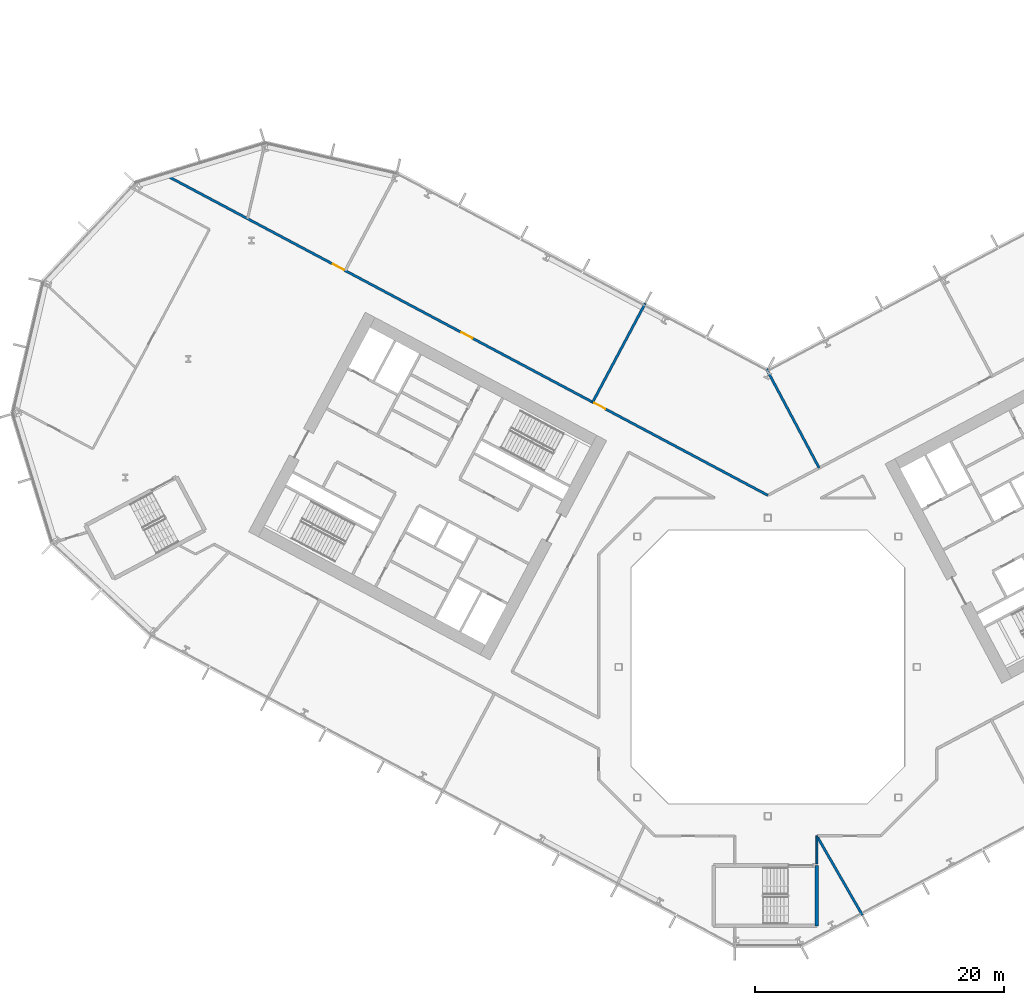
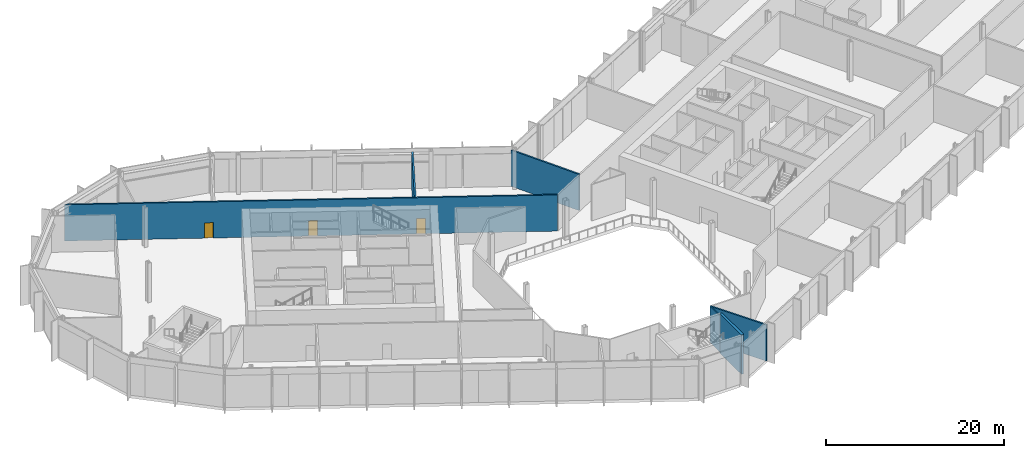
# One storey, part 14 of 32: 6 walls, 3 doors, 3 openings.
"""IFC4 building model written with IfcOpenShell, lengths in metres."""

from ifc_helpers import new_model, si_unit, direction, frame, frame_2d, origin, place, context, subcontext, project, spatial, rectangle, extrude, material, layer, layer_set, type_object, element, fill, save


model = new_model("IFC4")

# Units and contexts
model_context = context("Model", 3, precision=1e-05, world=origin(), true_north=direction((0.0, 1.0)))
body_context = subcontext(model_context, "Body", "Model", "MODEL_VIEW")
ifc_project = project(units=[si_unit("LENGTHUNIT", "METRE"), si_unit("AREAUNIT", "SQUARE_METRE"), si_unit("VOLUMEUNIT", "CUBIC_METRE"), si_unit("PLANEANGLEUNIT", "RADIAN"), si_unit("MASSUNIT", "GRAM", prefix="KILO")], contexts=[model_context])

# Site, building, storey
site_placement = place(None, origin())
site = spatial("IfcSite", under=ifc_project, at=site_placement, CompositionType="ELEMENT")
building_placement = place(site_placement, origin())
building = spatial("IfcBuilding", under=site, at=building_placement, Name="Cormorant Relay Tower", CompositionType="ELEMENT")
storey_placement = place(building_placement, frame((0.0, 0.0, 28.39990234375)))
storey = spatial("IfcBuildingStorey", under=building, at=storey_placement, Name="L05", CompositionType="ELEMENT", Elevation=28.39990234375)

# Wall, openings, doors
ifc_material_1 = material(Name="Fire-rated gypsum board partition")
ifc_layer_1 = layer(ifc_material_1, 0.199951171875)
ifc_layer_set_1 = layer_set([ifc_layer_1], Name="Fire-rated gypsum partition 200")
wall_type_1 = type_object("IfcWallType", Name="Fire-rated gypsum partition 200", PredefinedType="PARTITIONING", material=ifc_layer_set_1)
wall_1_placement = place(storey_placement, frame((-48.81396484375, 39.77001953125, 0.0), z_axis=(0.0, 0.0, 1.0), x_axis=(0.882945848707, -0.469474843043, 0.0)))
wall_1 = element("IfcWall", 1, at=wall_1_placement, inside=storey, type_object=wall_type_1, Name="wall/L05/part/8", PredefinedType="PARTITIONING", context=body_context, shape_type="SweptSolid", body=[
    extrude(rectangle(XDim=55.285400390625, YDim=0.199951171875, at=frame_2d((27.642578125, 0.0))), origin(), (0.0, 0.0, 1.0), 4.9501953125),
])
opening_1_placement = place(wall_1_placement, frame((39.465087890625, 0.0, 0.0)))
opening_1 = element("IfcOpeningElement", 2, at=opening_1_placement, cuts=wall_1, Name="Opening FD1-044", PredefinedType="OPENING", context=body_context, shape_type="SweptSolid", body=[
    extrude(rectangle(XDim=1.0, YDim=2.10009765625, at=frame_2d((0.5, 1.050048828125))), frame((0.0, 0.10986328125, 0.0), z_axis=(0.0, -1.0, 0.0), x_axis=(1.0, 0.0, 0.0)), (0.0, 0.0, 1.0), 0.219970703125),
])
opening_2_placement = place(wall_1_placement, frame((27.365966796875, 0.0, 0.0)))
opening_2 = element("IfcOpeningElement", 3, at=opening_2_placement, cuts=wall_1, Name="Opening FD1-045", PredefinedType="OPENING", context=body_context, shape_type="SweptSolid", body=[
    extrude(rectangle(XDim=1.0, YDim=2.10009765625, at=frame_2d((0.5, 1.050048828125))), frame((0.0, 0.10986328125, 0.0), z_axis=(0.0, -1.0, 0.0), x_axis=(1.0, 0.0, 0.0)), (0.0, 0.0, 1.0), 0.219970703125),
])
opening_3_placement = place(wall_1_placement, frame((15.6650390625, 0.0, 0.0)))
opening_3 = element("IfcOpeningElement", 4, at=opening_3_placement, cuts=wall_1, Name="Opening FD1-046", PredefinedType="OPENING", context=body_context, shape_type="SweptSolid", body=[
    extrude(rectangle(XDim=1.0, YDim=2.10009765625, at=frame_2d((0.5, 1.050048828125))), frame((0.0, 0.10986328125, 0.0), z_axis=(0.0, -1.0, 0.0), x_axis=(1.0, 0.0, 0.0)), (0.0, 0.0, 1.0), 0.219970703125),
])
ifc_material_2 = material(Name="Fire-rated steel door", Category="steel")
door_type = type_object("IfcDoorType", Name="Fire door 1000 x 2100", OperationType="SINGLE_SWING_LEFT", PredefinedType="DOOR", material=ifc_material_2)
door_1_placement = place(opening_1_placement, origin())
door_1 = element("IfcDoor", 5, at=door_1_placement, inside=storey, type_object=door_type, Name="door/L05/7", OperationType="SINGLE_SWING_LEFT", OverallHeight=2.10009765625, OverallWidth=1.0, PredefinedType="DOOR", context=body_context, shape_type="SweptSolid", body=[
    extrude(rectangle(XDim=1.0, YDim=2.10009765625, at=frame_2d((0.5, 1.050048828125))), frame((0.0, 0.02490234375, 0.0), z_axis=(0.0, -1.0, 0.0), x_axis=(1.0, 0.0, 0.0)), (0.0, 0.0, 1.0), 0.050048828125),
])
fill(opening_1, door_1)
door_2_placement = place(opening_2_placement, origin())
door_2 = element("IfcDoor", 6, at=door_2_placement, inside=storey, type_object=door_type, Name="door/L05/8", OperationType="SINGLE_SWING_RIGHT", OverallHeight=2.10009765625, OverallWidth=1.0, PredefinedType="DOOR", context=body_context, shape_type="SweptSolid", body=[
    extrude(rectangle(XDim=1.0, YDim=2.10009765625, at=frame_2d((0.5, 1.050048828125))), frame((0.0, 0.02490234375, 0.0), z_axis=(0.0, -1.0, 0.0), x_axis=(1.0, 0.0, 0.0)), (0.0, 0.0, 1.0), 0.050048828125),
])
fill(opening_2, door_2)
door_3_placement = place(opening_3_placement, origin())
door_3 = element("IfcDoor", 7, at=door_3_placement, inside=storey, type_object=door_type, Name="door/L05/9", OperationType="SINGLE_SWING_RIGHT", OverallHeight=2.10009765625, OverallWidth=1.0, PredefinedType="DOOR", context=body_context, shape_type="SweptSolid", body=[
    extrude(rectangle(XDim=1.0, YDim=2.10009765625, at=frame_2d((0.5, 1.050048828125))), frame((0.0, 0.02490234375, 0.0), z_axis=(0.0, -1.0, 0.0), x_axis=(1.0, 0.0, 0.0)), (0.0, 0.0, 1.0), 0.050048828125),
])
fill(opening_3, door_3)

# Walls
wall_2_placement = place(storey_placement, frame((-9.864013671875, 29.2548828125, 0.0), z_axis=(0.0, 0.0, 1.0), x_axis=(-0.469475779988, -0.88294535052, 0.0)))
element("IfcWall", 8, at=wall_2_placement, inside=storey, type_object=wall_type_1, Name="wall/L05/part/16", PredefinedType="PARTITIONING", context=body_context, shape_type="SweptSolid", body=[
    extrude(rectangle(XDim=9.001708984375, YDim=0.199951171875, at=frame_2d((4.5009765625, 0.0))), origin(), (0.0, 0.0, 1.0), 4.9501953125),
])
wall_3_placement = place(storey_placement, frame((-0.10595703125, 23.98388671875, 0.0), z_axis=(0.0, 0.0, 1.0), x_axis=(0.469539420252, -0.882911509059, 0.0)))
element("IfcWall", 9, at=wall_3_placement, inside=storey, type_object=wall_type_1, Name="wall/L05/part/20", PredefinedType="PARTITIONING", context=body_context, shape_type="SweptSolid", body=[
    extrude(rectangle(XDim=9.028076171875, YDim=0.199951171875, at=frame_2d((4.51416015625, 0.0))), origin(), (0.0, 0.0, 1.0), 4.9501953125),
])
wall_4_placement = place(storey_placement, frame((7.60888671875, -19.965087890625, 0.0), z_axis=(0.0, 0.0, 1.0), x_axis=(-0.498246245443, 0.867035569571, 0.0)))
element("IfcWall", 10, at=wall_4_placement, inside=storey, type_object=wall_type_1, Name="wall/L05/part/31", PredefinedType="PARTITIONING", context=body_context, shape_type="SweptSolid", body=[
    extrude(rectangle(XDim=7.34375, YDim=0.199951171875, at=frame_2d((3.671875, 0.0))), origin(), (0.0, 0.0, 1.0), 4.9501953125),
])
ifc_material_3 = material(Name="Gypsum board partition")
ifc_layer_2 = layer(ifc_material_3, 0.14990234375)
ifc_layer_set_2 = layer_set([ifc_layer_2], Name="Gypsum board partition 150")
wall_type_2 = type_object("IfcWallType", Name="Gypsum board partition 150", PredefinedType="PARTITIONING", material=ifc_layer_set_2)
wall_5_placement = place(storey_placement, frame((3.949951171875, -13.597900390625, 0.0), z_axis=(0.0, 0.0, 1.0), x_axis=(0.0, -1.0, 0.0)))
element("IfcWall", 11, at=wall_5_placement, inside=storey, type_object=wall_type_2, Name="wall/L05/part/27", PredefinedType="PARTITIONING", context=body_context, shape_type="SweptSolid", body=[
    extrude(rectangle(XDim=2.2421875, YDim=0.14990234375, at=frame_2d((1.12109375, 0.0))), origin(), (0.0, 0.0, 1.0), 4.9501953125),
])
ifc_material_4 = material(Name="Concrete 50 MPa", Category="concrete")
ifc_layer_3 = layer(ifc_material_4, 0.300048828125)
ifc_layer_set_3 = layer_set([ifc_layer_3], Name="Remote stair wall 300")
wall_type_3 = type_object("IfcWallType", Name="Remote stair wall 300", PredefinedType="SHEAR", material=ifc_layer_set_3)
wall_6_placement = place(storey_placement, frame((3.949951171875, -15.97509765625, 0.0), z_axis=(0.0, 0.0, 1.0), x_axis=(0.0, -1.0, 0.0)))
element("IfcWall", 12, at=wall_6_placement, inside=storey, type_object=wall_type_3, Name="L05 exit stair RK1 wall", PredefinedType="SHEAR", context=body_context, shape_type="SweptSolid", body=[
    extrude(rectangle(XDim=4.849853515625, YDim=0.300048828125, at=frame_2d((2.4248046875, 0.0))), origin(), (0.0, 0.0, 1.0), 5.400146484375),
])

save(model, "model.ifc")
